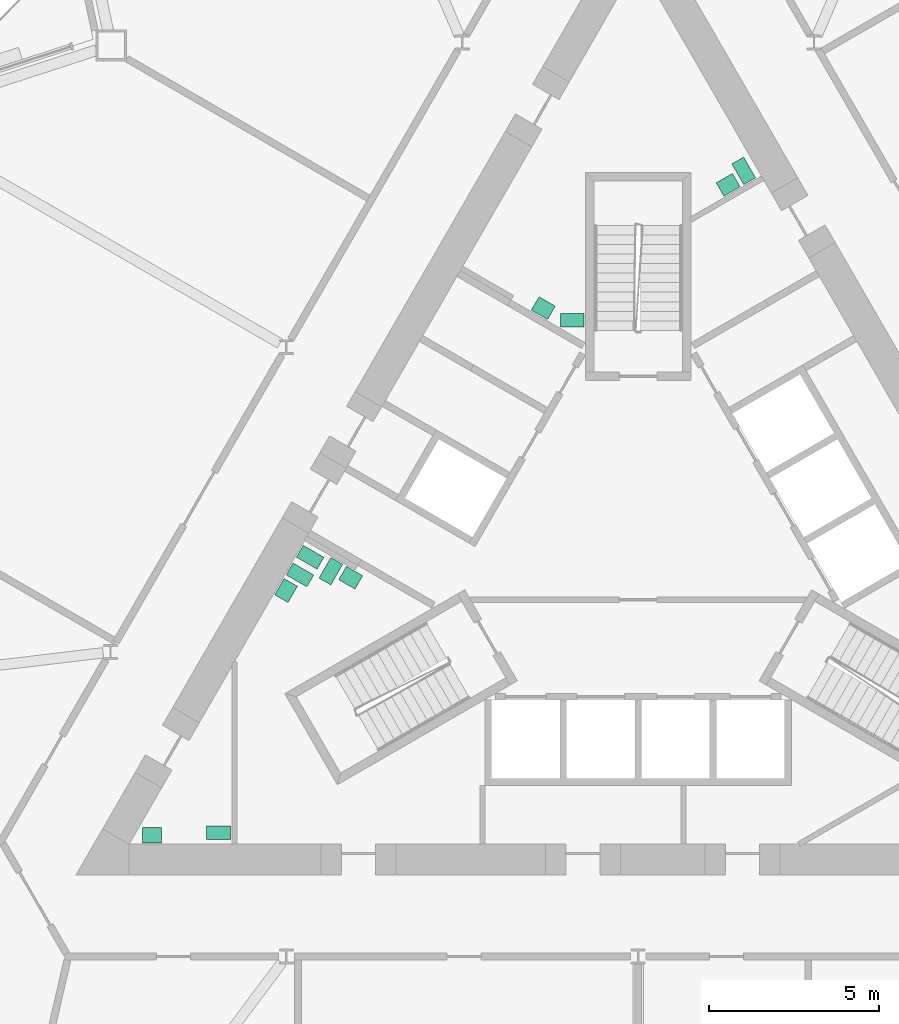
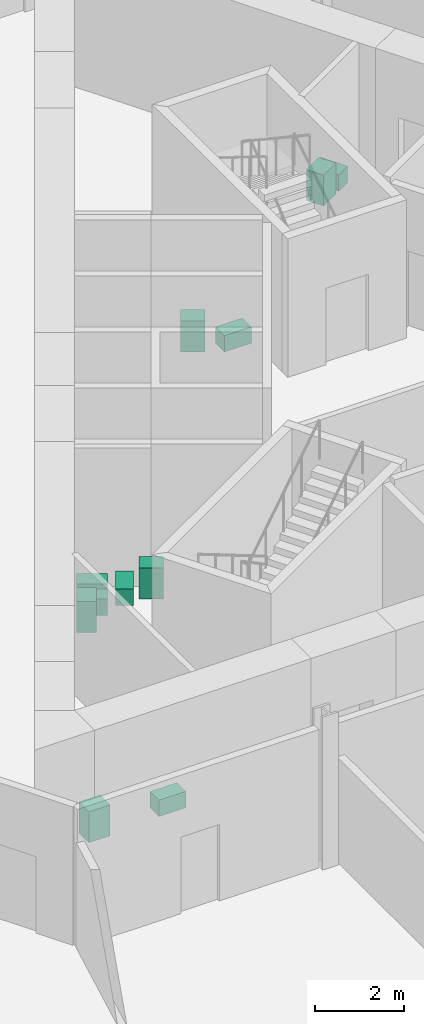
# One storey, part 20 of 21: 11 sanitary terminals.
"""IFC4 building model written with IfcOpenShell, lengths in metres."""

from ifc_helpers import new_model, si_unit, direction, frame, origin, origin_2d, place, context, subcontext, project, spatial, rectangle, extrude, material, type_object, element, save


model = new_model("IFC4")

# Units and contexts
model_context = context("Model", 3, precision=1e-05, world=origin(), true_north=direction((0.0, 1.0)))
body_context = subcontext(model_context, "Body", "Model", "MODEL_VIEW")
ifc_project = project(units=[si_unit("LENGTHUNIT", "METRE"), si_unit("AREAUNIT", "SQUARE_METRE"), si_unit("VOLUMEUNIT", "CUBIC_METRE"), si_unit("PLANEANGLEUNIT", "RADIAN"), si_unit("MASSUNIT", "GRAM", prefix="KILO")], contexts=[model_context])

# Site, building, storey
site_placement = place(None, origin())
site = spatial("IfcSite", under=ifc_project, at=site_placement, CompositionType="ELEMENT")
building_placement = place(site_placement, origin())
building = spatial("IfcBuilding", under=site, at=building_placement, Name="Cormorant Prow Tower", CompositionType="ELEMENT")
storey_placement = place(building_placement, frame((0.0, 0.0, 103.800048828125)))
storey = spatial("IfcBuildingStorey", under=building, at=storey_placement, Name="L21", CompositionType="ELEMENT", Elevation=103.800048828125)

# Sanitary terminals
ifc_material_1 = material(Name="Vitreous china")
sanitary_terminal_type_1 = type_object("IfcSanitaryTerminalType", Name="Wash basin 550x450", PredefinedType="WASHHANDBASIN", material=ifc_material_1)
for number, where, z_axis, x_axis, name in (
    (1, (-8.438232421875, -0.803466796875, 0.0), (0.0, 0.0, 1.0), (-0.866034130299, 0.499984884929, 0.0), "Wash basin"),
    (2, (-10.336181640625, -1.18017578125, 0.0), (0.0, 0.0, 1.0), (-0.499984884929, -0.866034130299, 0.0), "Wash basin"),
    (3, (-2.7841796875, 7.109619140625, 0.0), (0.0, 0.0, 1.0), (0.866034130299, -0.499984884929, 0.0), "Wash basin"),
    (4, (2.640625, 10.730224609375, 0.0), (0.0, 0.0, 1.0), (0.866025403784, 0.5, 0.0), "Wash basin"),
    (5, (-14.27197265625, -8.361328125, 0.0), (0.0, 0.0, 1.0), (1.0, 0.0, 0.0), "Wash basin"),
):
    element("IfcSanitaryTerminal", number, at=place(storey_placement, frame(where, z_axis=z_axis, x_axis=x_axis)), inside=storey, type_object=sanitary_terminal_type_1, Name=name, PredefinedType="WASHHANDBASIN", context=body_context, shape_type="SweptSolid", body=[
        extrude(rectangle(XDim=0.550048828125, YDim=0.449951171875, at=origin_2d()), origin(), (0.0, 0.0, 1.0), 0.85009765625),
    ])
ifc_material_2 = material(Name="Vitreous china")
sanitary_terminal_type_2 = type_object("IfcSanitaryTerminalType", Name="Water closet 400x700", PredefinedType="WCSEAT", material=ifc_material_2)
for number, where, z_axis, x_axis, name in (
    (6, (-9.627685546875, -0.203369140625, 0.0), (0.0, 0.0, 1.0), (-0.499984884929, -0.866034130299, 0.0), "Water closet"),
    (7, (-9.927734375, -0.722900390625, 0.0), (0.0, 0.0, 1.0), (-0.499984884929, -0.866034130299, 0.0), "Water closet"),
    (8, (-9.0205078125, -0.61181640625, 0.0), (0.0, 0.0, 1.0), (-0.866034130299, 0.499984884929, 0.0), "Water closet"),
    (9, (-1.93408203125, 6.7568359375, 0.0), (0.0, 0.0, 1.0), (0.0, 1.0, 0.0), "Water closet"),
    (10, (3.09765625, 11.138427734375, 0.0), (0.0, 0.0, 1.0), (0.866025403784, 0.5, 0.0), "Water closet"),
    (11, (-12.31884765625, -8.286376953125, 0.0), (0.0, 0.0, 1.0), (0.0, 1.0, 0.0), "Water closet"),
):
    element("IfcSanitaryTerminal", number, at=place(storey_placement, frame(where, z_axis=z_axis, x_axis=x_axis)), inside=storey, type_object=sanitary_terminal_type_2, Name=name, PredefinedType="WCSEAT", context=body_context, shape_type="SweptSolid", body=[
        extrude(rectangle(XDim=0.39990234375, YDim=0.699951171875, at=origin_2d()), origin(), (0.0, 0.0, 1.0), 0.449951171875),
    ])

save(model, "model.ifc")
